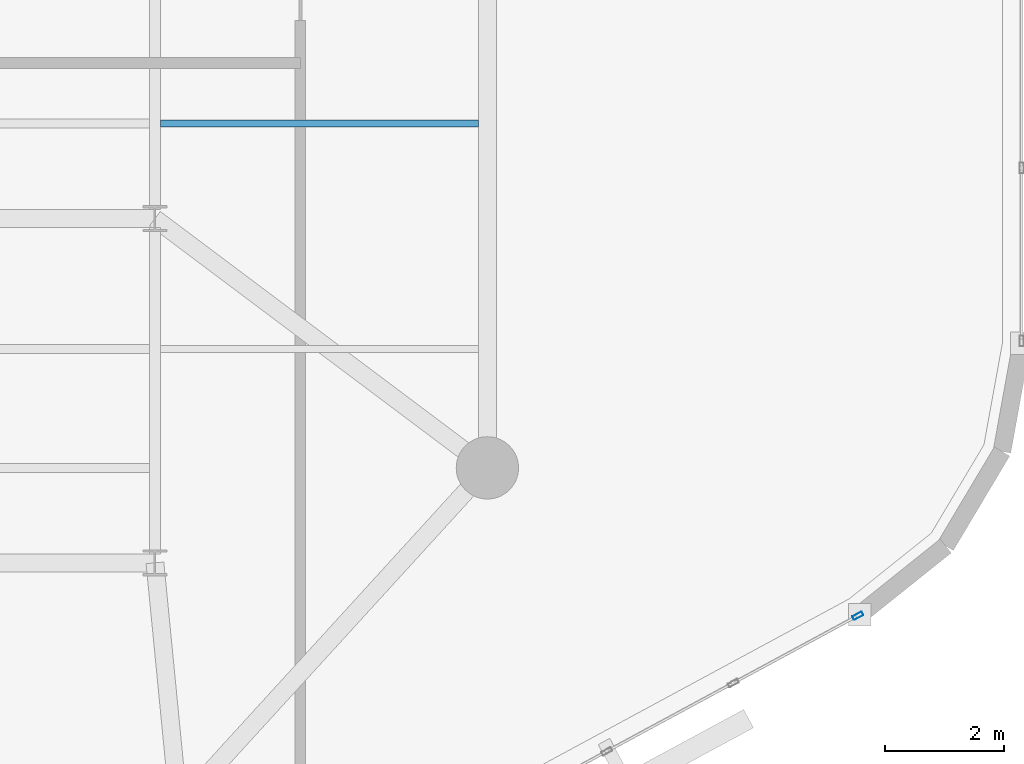
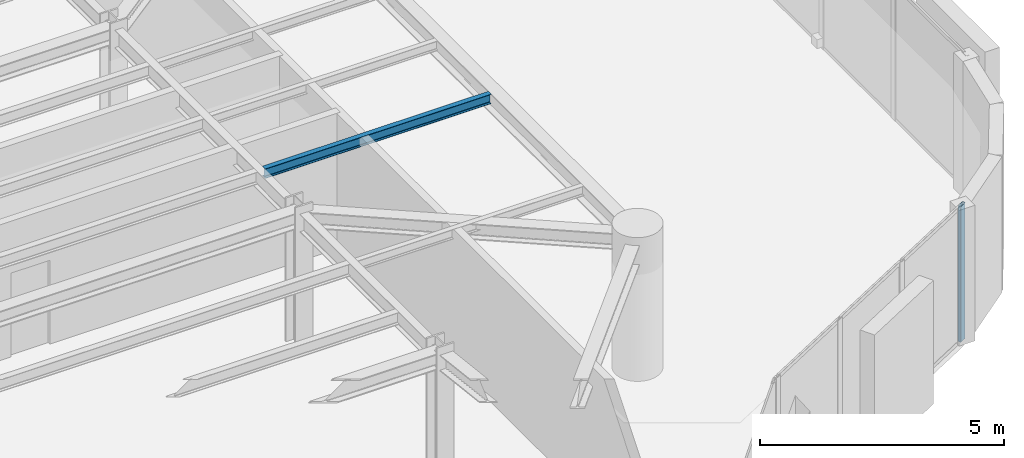
# One storey, part 3 of 13: 1 beam, 1 member, 1 element without a shape of its own.
"""IFC4 building model written with IfcOpenShell, lengths in metres."""

import ifcopenshell
import ifcopenshell.guid

model = None  # the IFC model being written
_history = None  # IfcOwnerHistory: only IFC2X3 demands one
_inside = {}  # id of a spatial element -> (the spatial element, [elements in it])
_under = {}  # id of a project, library or spatial element -> (it, [spatial elements below it])
_declared = {}  # id of a project -> (the project, [libraries it declares])
_typed = {}  # id of a type object -> (the type object, [elements of that type])
_made_of = {}  # id of a material, layer set ... -> (it, [elements and type objects made of it])


def new_model(schema):
    """Start an empty IFC model of exactly this schema.

    Asked for "IFC4X3", IfcOpenShell would pick the latest addendum, in which some entities
    have other attributes; the version numbers below select the first issue.
    IFC2X3 requires an IfcOwnerHistory on every rooted entity: one is made here for all.
    """
    global model, _history
    if schema == "IFC4X3":
        model = ifcopenshell.file(schema_version=(4, 3, 0, 0))
    else:
        model = ifcopenshell.file(schema=schema)
    _inside.clear()
    _under.clear()
    _declared.clear()
    _typed.clear()
    _made_of.clear()
    _history = None
    if model.schema == "IFC2X3":
        org = make("IfcOrganization", Name="unknown")
        user = make(
            "IfcPersonAndOrganization",
            ThePerson=make("IfcPerson", FamilyName="unknown"),
            TheOrganization=org,
        )
        app = make(
            "IfcApplication",
            ApplicationDeveloper=org,
            Version="unknown",
            ApplicationFullName="unknown",
            ApplicationIdentifier="unknown",
        )
        _history = make(
            "IfcOwnerHistory",
            OwningUser=user,
            OwningApplication=app,
            ChangeAction="ADDED",
            CreationDate=0,
        )
    return model


def make(cls, **values):
    """One entity of the class cls with the attributes given. An attribute that is None is left unset."""
    return model.create_entity(
        cls, **{name: value for name, value in values.items() if value is not None}
    )


def rooted(cls, **values):
    """An entity with a GlobalId (a new one), such as an element, a storey or a relation."""
    return make(cls, GlobalId=ifcopenshell.guid.new(), OwnerHistory=_history, **values)


def si_unit(unit_type, name, prefix=None):
    """IfcSIUnit, for example si_unit("LENGTHUNIT", "METRE", prefix="MILLI")."""
    return make("IfcSIUnit", UnitType=unit_type, Prefix=prefix, Name=name)


def assignment(units):
    """IfcUnitAssignment: the units of a project."""
    return None if units is None else make("IfcUnitAssignment", Units=units)


def point(xyz):
    """IfcCartesianPoint."""
    return None if xyz is None else make("IfcCartesianPoint", Coordinates=xyz)


def direction(xyz):
    """IfcDirection."""
    return None if xyz is None else make("IfcDirection", DirectionRatios=xyz)


def frame(location, z_axis=None, x_axis=None):
    """IfcAxis2Placement3D, a coordinate frame: its origin and axes. An axis left out is left unset."""
    return make(
        "IfcAxis2Placement3D",
        Location=point(location),
        Axis=direction(z_axis),
        RefDirection=direction(x_axis),
    )


def frame_2d(location, x_axis=None):
    """IfcAxis2Placement2D, a coordinate frame in the plane: its origin and x axis."""
    return make(
        "IfcAxis2Placement2D", Location=point(location), RefDirection=direction(x_axis)
    )


def origin():
    """The frame at (0, 0, 0) with its axes left unset."""
    return frame((0.0, 0.0, 0.0))


def origin_2d():
    """The frame at (0, 0) in the plane with its x axis left unset."""
    return frame_2d((0.0, 0.0))


def place(relative_to, where):
    """IfcLocalPlacement: puts the frame where relative to a parent placement (None: the world)."""
    return make(
        "IfcLocalPlacement", PlacementRelTo=relative_to, RelativePlacement=where
    )


def context(
    kind, dimensions, precision=None, world=None, true_north=None, identifier=None
):
    """IfcGeometricRepresentationContext, for example the 3D "Model" context."""
    return make(
        "IfcGeometricRepresentationContext",
        ContextIdentifier=identifier,
        ContextType=kind,
        CoordinateSpaceDimension=dimensions,
        Precision=precision,
        WorldCoordinateSystem=world,
        TrueNorth=true_north,
    )


def subcontext(parent, identifier, kind, view, scale=None):
    """IfcGeometricRepresentationSubContext, for example "Body" below "Model"."""
    return make(
        "IfcGeometricRepresentationSubContext",
        ContextIdentifier=identifier,
        ContextType=kind,
        ParentContext=parent,
        TargetScale=scale,
        TargetView=view,
    )


def project(units=None, contexts=None):
    """IfcProject with its units and contexts."""
    return rooted(
        "IfcProject",
        Name="project",
        RepresentationContexts=contexts,
        UnitsInContext=assignment(units),
    )


def spatial(cls, under=None, at=None, **own):
    """A site, building, storey or space (cls), placed at a placement, below another one or the project."""
    s = rooted(cls, ObjectPlacement=at, **own)
    if under is not None:
        _under.setdefault(under.id(), (under, []))[1].append(s)
    return s


def profile(cls, at=None, kind="AREA", **sizes):
    """A parametric profile (cls). Its sizes go by their IFC names, for example OverallWidth=200.0."""
    return make(cls, ProfileType=kind, Position=at, **sizes)


def hollow_rectangle(**sizes):
    """IfcRectangleHollowProfileDef."""
    return profile("IfcRectangleHollowProfileDef", **sizes)


def i_section(**sizes):
    """IfcIShapeProfileDef."""
    return profile("IfcIShapeProfileDef", **sizes)


def extrude(swept, where, along, depth):
    """IfcExtrudedAreaSolid: the profile swept, set in the frame where, extruded along a direction by depth."""
    return make(
        "IfcExtrudedAreaSolid",
        SweptArea=swept,
        Position=where,
        ExtrudedDirection=direction(along),
        Depth=depth,
    )


def shape(context_of_items, identifier, shape_type, items):
    """IfcShapeRepresentation: the items that make up one representation, for example the "Body"."""
    return make(
        "IfcShapeRepresentation",
        ContextOfItems=context_of_items,
        RepresentationIdentifier=identifier,
        RepresentationType=shape_type,
        Items=items,
    )


def material(Name=None, Category=None):
    """IfcMaterial."""
    return make("IfcMaterial", Name=Name, Category=Category)


def layer(
    of_material, thickness, ventilated=None, Name=None, Category=None, Priority=None
):
    """IfcMaterialLayer: one layer of a wall or slab, of a material (None: an air gap)."""
    return make(
        "IfcMaterialLayer",
        Material=of_material,
        LayerThickness=thickness,
        IsVentilated=ventilated,
        Name=Name,
        Category=Category,
        Priority=Priority,
    )


def layer_set(layers, Name=None):
    """IfcMaterialLayerSet."""
    return make("IfcMaterialLayerSet", MaterialLayers=layers, LayerSetName=Name)


def material_profile(
    of_material, cross_section, Name=None, Category=None, Priority=None
):
    """IfcMaterialProfile: a cross section and its material."""
    return make(
        "IfcMaterialProfile",
        Name=Name,
        Material=of_material,
        Profile=cross_section,
        Priority=Priority,
        Category=Category,
    )


def profile_set(profiles, Name=None, composite=None):
    """IfcMaterialProfileSet."""
    return make(
        "IfcMaterialProfileSet",
        Name=Name,
        MaterialProfiles=profiles,
        CompositeProfile=composite,
    )


def made_of(thing, what):
    """Note that an element or type object is made of a material, layer set ...; save() writes the relation."""
    if what is not None:
        _made_of.setdefault(what.id(), (what, []))[1].append(thing)
    return thing


def type_object(cls, material=None, **own):
    """A type object (cls), such as IfcWallType, which elements share."""
    return made_of(rooted(cls, **own), material)


def element(
    cls,
    number,
    at=None,
    inside=None,
    cuts=None,
    type_object=None,
    material=None,
    context=None,
    identifier="Body",
    shape_type=None,
    held_by="IfcProductDefinitionShape",
    body=None,
    shapes=None,
    **own,
):
    """One element of the class cls, such as IfcWall. Its Tag is "e" and its number.

    at: its placement. inside: the storey or other place that contains it. cuts: it is an
    opening in that element (IfcRelVoidsElement). A single representation is given by context,
    identifier, shape_type and body (its items); several are given by shapes. held_by: the class
    of the entity that holds the representations. save() writes the other relations.
    """
    e = rooted(cls, Tag="e%d" % number, ObjectPlacement=at, **own)
    if body is not None:
        shapes = [shape(context, identifier, shape_type, body)]
    if shapes is not None:
        e.Representation = make(held_by, Representations=shapes)
    if inside is not None:
        _inside.setdefault(inside.id(), (inside, []))[1].append(e)
    if cuts is not None:
        rooted(
            "IfcRelVoidsElement", RelatingBuildingElement=cuts, RelatedOpeningElement=e
        )
    if type_object is not None:
        _typed.setdefault(type_object.id(), (type_object, []))[1].append(e)
    return made_of(e, material)


def aggregate(whole, parts):
    """IfcRelAggregates: a whole, such as a stair, and the parts it consists of."""
    return rooted("IfcRelAggregates", RelatingObject=whole, RelatedObjects=parts)


def save(model, path):
    """Write the relations noted so far, then the file.

    IfcRelAggregates (storeys below a building ...), IfcRelContainedInSpatialStructure (elements
    in a storey), IfcRelDefinesByType, IfcRelAssociatesMaterial and IfcRelDeclares: one each for
    every whole, place, type object, material and project.
    """
    for whole, parts in _under.values():
        aggregate(whole, parts)
    for where, things in _inside.values():
        rooted(
            "IfcRelContainedInSpatialStructure",
            RelatedElements=things,
            RelatingStructure=where,
        )
    for kind, things in _typed.values():
        rooted("IfcRelDefinesByType", RelatedObjects=things, RelatingType=kind)
    for what, things in _made_of.values():
        rooted("IfcRelAssociatesMaterial", RelatedObjects=things, RelatingMaterial=what)
    for by, libraries in _declared.values():
        rooted("IfcRelDeclares", RelatingContext=by, RelatedDefinitions=libraries)
    model.write(path)


model = new_model("IFC4")

# Units and contexts
model_context = context("Model", 3, precision=1e-05, world=origin(), true_north=direction((0.0, 1.0)))
body_context = subcontext(model_context, "Body", "Model", "MODEL_VIEW")
ifc_project = project(units=[si_unit("LENGTHUNIT", "METRE"), si_unit("AREAUNIT", "SQUARE_METRE"), si_unit("VOLUMEUNIT", "CUBIC_METRE"), si_unit("PLANEANGLEUNIT", "RADIAN"), si_unit("MASSUNIT", "GRAM", prefix="KILO")], contexts=[model_context])

# Site, building, storey
site_placement = place(None, origin())
site = spatial("IfcSite", under=ifc_project, at=site_placement, CompositionType="ELEMENT")
building_placement = place(site_placement, origin())
building = spatial("IfcBuilding", under=site, at=building_placement, Name="An Khanh Terracotta Commons", CompositionType="ELEMENT")
storey_placement = place(building_placement, frame((0.0, 0.0, 237.300048828125)))
storey = spatial("IfcBuildingStorey", under=building, at=storey_placement, Name="L62", CompositionType="ELEMENT", Elevation=237.300048828125)

# Beam
ifc_material_1 = material(Name="Steel S355J2", Category="steel")
ifc_material_profile_1 = material_profile(ifc_material_1, i_section(OverallWidth=0.1201171875, OverallDepth=0.239990234375, WebThickness=0.006103515625, FlangeThickness=0.009765625, FilletRadius=0.014892578125, at=origin_2d()), Name="IPE240")
ifc_profile_set_1 = profile_set([ifc_material_profile_1], Name="Steel S355J2")
beam_type = type_object("IfcBeamType", Name="BM-IPE240", PredefinedType="JOIST", material=ifc_profile_set_1)
beam_placement = place(storey_placement, frame((54.094970703125, 21.800048828125, 3.280029296875), z_axis=(1.0, 0.0, 0.0), x_axis=(0.0, 1.0, 0.0)))
element("IfcBeam", 1, at=beam_placement, inside=storey, type_object=beam_type, Name="L62 Riverfront Composite Joist 3", PredefinedType="JOIST", context=body_context, shape_type="SweptSolid", body=[
    extrude(i_section(OverallWidth=0.1201171875, OverallDepth=0.239990234375, WebThickness=0.006103515625, FlangeThickness=0.009765625, FilletRadius=0.014892578125, at=origin_2d()), origin(), (0.0, 0.0, 1.0), 5.35498046875),
])

# Curtain wall, member
ifc_material_2 = material(Name="Anodised Aluminium 6063-T6", Category="aluminium")
ifc_layer = layer(ifc_material_2, 0.2099609375, Name="Anodised Aluminium 6063-T6")
ifc_layer_set = layer_set([ifc_layer], Name="Anodised Aluminium 6063-T6")
curtain_wall_type = type_object("IfcCurtainWallType", Name="CW-SYS-03", PredefinedType="USERDEFINED", material=ifc_layer_set)
curtain_wall_placement = place(storey_placement, origin())
curtain_wall = element("IfcCurtainWall", 2, at=curtain_wall_placement, inside=storey, type_object=curtain_wall_type, Name="L62 CW-03 Unitised Curtain Wall CW-L62-08", ObjectType="UNITISED CURTAIN WALL", PredefinedType="USERDEFINED")
ifc_material_profile_2 = material_profile(ifc_material_2, hollow_rectangle(XDim=0.070068359375, YDim=0.179931640625, WallThickness=0.00390625, InnerFilletRadius=0.00390625, OuterFilletRadius=0.008056640625, at=origin_2d()), Name="RHS180x70x4")
ifc_profile_set_2 = profile_set([ifc_material_profile_2], Name="Anodised Aluminium 6063-T6")
member_type = type_object("IfcMemberType", Name="CWM-RHS180x70x4", PredefinedType="MULLION", material=ifc_profile_set_2)
member_placement = place(storey_placement, frame((65.84130859375, 13.50927734375, 0.0), z_axis=(0.0, 0.0, 1.0), x_axis=(-0.47538088298, 0.879780095306, 0.0)))
member = element("IfcMember", 3, at=member_placement, type_object=member_type, Name="CW-03 mullion 5", PredefinedType="MULLION", context=body_context, shape_type="SweptSolid", body=[
    extrude(hollow_rectangle(XDim=0.070068359375, YDim=0.179931640625, WallThickness=0.00390625, InnerFilletRadius=0.00390625, OuterFilletRadius=0.008056640625, at=origin_2d()), origin(), (0.0, 0.0, 1.0), 3.39990234375),
])
aggregate(curtain_wall, [member])

save(model, "model.ifc")
